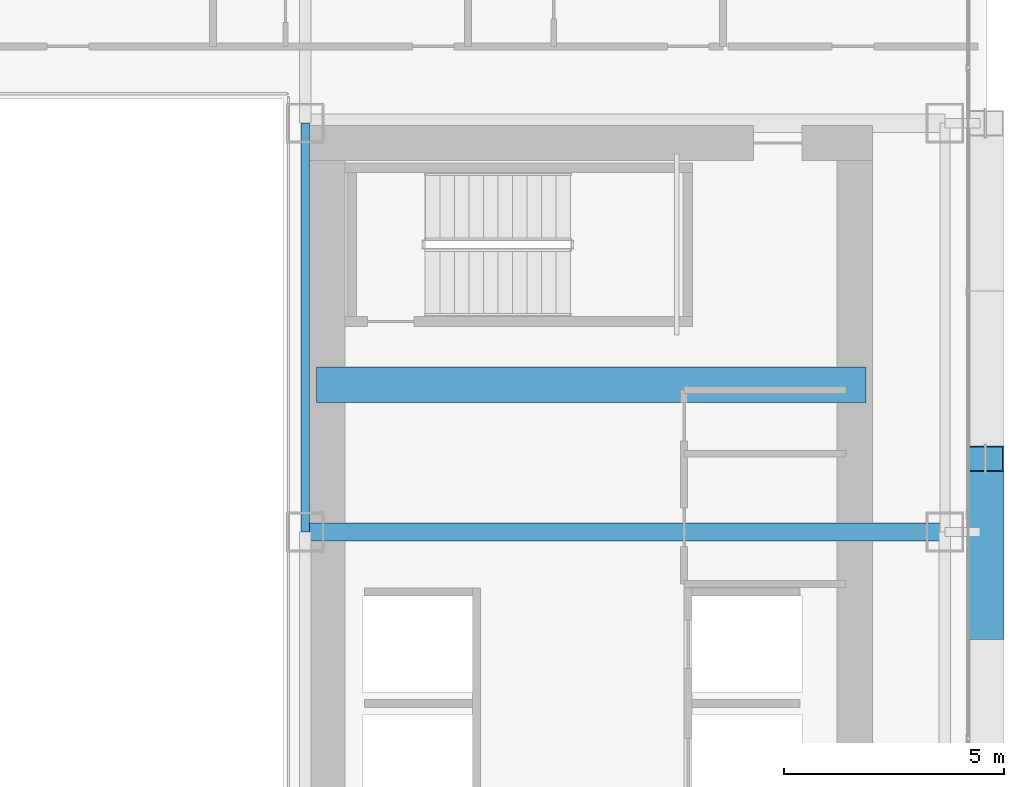
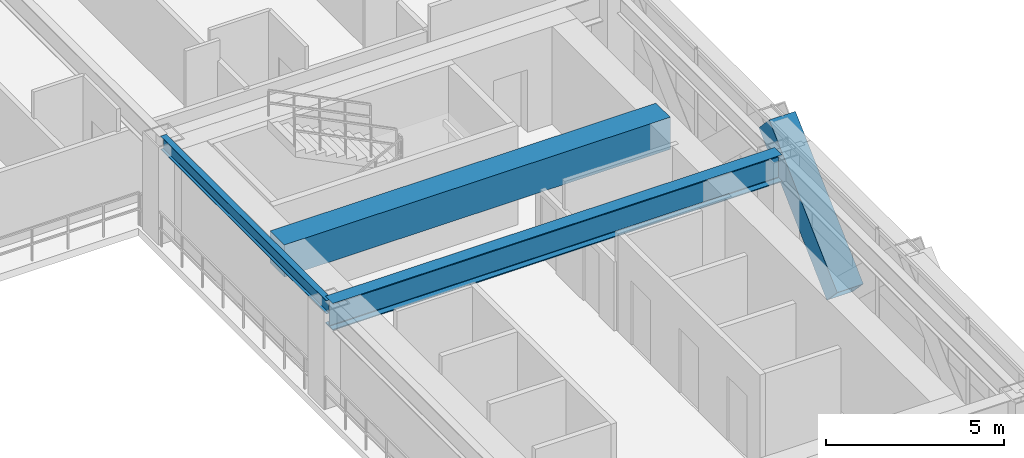
# One storey, part 14 of 38: 3 beams, 1 member.
"""IFC4 building model written with IfcOpenShell, lengths in metres."""

from ifc_helpers import new_model, si_unit, direction, frame, origin, origin_2d, place, context, subcontext, project, spatial, rectangle, hollow_rectangle, i_section, extrude, source, transform, mapped, material, material_profile, profile_set, type_object, element, save


model = new_model("IFC4")

# Units and contexts
model_context = context("Model", 3, precision=1e-05, world=origin(), true_north=direction((0.0, 1.0)))
body_context = subcontext(model_context, "Body", "Model", "MODEL_VIEW")
ifc_project = project(units=[si_unit("LENGTHUNIT", "METRE"), si_unit("AREAUNIT", "SQUARE_METRE"), si_unit("VOLUMEUNIT", "CUBIC_METRE"), si_unit("PLANEANGLEUNIT", "RADIAN"), si_unit("MASSUNIT", "GRAM", prefix="KILO")], contexts=[model_context])

# Site, building, storey
site_placement = place(None, origin())
site = spatial("IfcSite", under=ifc_project, at=site_placement, CompositionType="ELEMENT")
building_placement = place(site_placement, origin())
building = spatial("IfcBuilding", under=site, at=building_placement, Name="Ocotamira Hotel", CompositionType="ELEMENT")
storey_placement = place(building_placement, frame((0.0, 0.0, 45.60009765625)))
storey = spatial("IfcBuildingStorey", under=building, at=storey_placement, Name="L10", CompositionType="ELEMENT", Elevation=45.60009765625)

# Beams
ifc_material_1 = material(Name="Concrete C60/75", Category="concrete")
ifc_material_profile_1 = material_profile(ifc_material_1, rectangle(XDim=0.800048828125, YDim=1.10009765625, at=origin_2d()), Name="RC800X1100")
ifc_profile_set_1 = profile_set([ifc_material_profile_1], Name="Concrete C60/75")
beam_type_1 = type_object("IfcBeamType", Name="BM-LINK-RC800", PredefinedType="LINTEL", material=ifc_profile_set_1)
shared_shape_1 = source(origin(), body_context, "Body", "SweptSolid", [
    extrude(rectangle(XDim=0.800048828125, YDim=1.10009765625, at=origin_2d()), origin(), (0.0, 0.0, 1.0), 12.5),
])
beam_1_placement = place(storey_placement, frame((40.75, 31.5, 2.7998046875), z_axis=(1.0, 0.0, 0.0), x_axis=(0.0, 1.0, 0.0)))
element("IfcBeam", 1, at=beam_1_placement, inside=storey, type_object=beam_type_1, Name="L10 East Core Coupling Beam", PredefinedType="LINTEL", context=body_context, shape_type="MappedRepresentation", body=[
    mapped(shared_shape_1, transform((0.0, 0.0, 0.0), scale=1.0)),
])
ifc_material_2 = material(Name="Steel ASTM A992 Grade 50", Category="steel")
ifc_material_profile_2 = material_profile(ifc_material_2, i_section(OverallWidth=0.41796875, OverallDepth=0.927001953125, WebThickness=0.019287109375, FlangeThickness=0.031982421875, FilletRadius=0.02392578125, at=origin_2d()), Name="W36X231")
ifc_profile_set_2 = profile_set([ifc_material_profile_2], Name="Steel ASTM A992 Grade 50")
beam_type_2 = type_object("IfcBeamType", Name="BM-GIRD-W36X231", PredefinedType="BEAM", material=ifc_profile_set_2)
shared_shape_2 = source(origin(), body_context, "Body", "SweptSolid", [
    extrude(i_section(OverallWidth=0.41796875, OverallDepth=0.927001953125, WebThickness=0.019287109375, FlangeThickness=0.031982421875, FilletRadius=0.02392578125, at=origin_2d()), origin(), (0.0, 0.0, 1.0), 14.550048828125),
])
beam_2_placement = place(storey_placement, frame((40.5, 28.14990234375, 2.886474609375), z_axis=(1.0, 0.0, 0.0), x_axis=(0.0, 1.0, 0.0)))
element("IfcBeam", 2, at=beam_2_placement, inside=storey, type_object=beam_type_2, Name="L10 Girder Y28.15 X40.5-55.05", PredefinedType="BEAM", context=body_context, shape_type="MappedRepresentation", body=[
    mapped(shared_shape_2, transform((0.0, 0.0, 0.0), scale=1.0)),
])
ifc_material_profile_3 = material_profile(ifc_material_2, i_section(OverallWidth=0.18994140625, OverallDepth=0.45703125, WebThickness=0.009033203125, FlangeThickness=0.014404296875, FilletRadius=0.010009765625, at=origin_2d()), Name="W18X50")
ifc_profile_set_3 = profile_set([ifc_material_profile_3], Name="Steel ASTM A992 Grade 50")
beam_type_3 = type_object("IfcBeamType", Name="BM-SEC-W18X50", PredefinedType="JOIST", material=ifc_profile_set_3)
shared_shape_3 = source(origin(), body_context, "Body", "SweptSolid", [
    extrude(i_section(OverallWidth=0.18994140625, OverallDepth=0.45703125, WebThickness=0.009033203125, FlangeThickness=0.014404296875, FilletRadius=0.010009765625, at=origin_2d()), origin(), (0.0, 0.0, 1.0), 9.300048828125),
])
beam_3_placement = place(storey_placement, frame((40.5, 28.14990234375, 3.121337890625), z_axis=(0.0, 1.0, 0.0), x_axis=(-1.0, 0.0, 0.0)))
element("IfcBeam", 3, at=beam_3_placement, inside=storey, type_object=beam_type_3, Name="L10 Beam X40.5 Y28.15-37.45", PredefinedType="JOIST", context=body_context, shape_type="MappedRepresentation", body=[
    mapped(shared_shape_3, transform((0.0, 0.0, 0.0), scale=1.0)),
])

# Member
ifc_material_3 = material(Name="Pale-metal coated steel ASTM A913 Grade 65", Category="steel")
ifc_material_profile_4 = material_profile(ifc_material_3, hollow_rectangle(XDim=0.85009765625, YDim=0.85009765625, WallThickness=0.035888671875, at=origin_2d()), Name="BOX850X850X36")
ifc_profile_set_4 = profile_set([ifc_material_profile_4], Name="Pale-metal coated steel ASTM A913 Grade 65")
member_type = type_object("IfcMemberType", Name="MEM-EXO-BOX850", PredefinedType="BRACE", material=ifc_profile_set_4)
shared_shape_4 = source(origin(), body_context, "Body", "SweptSolid", [
    extrude(hollow_rectangle(XDim=0.85009765625, YDim=0.85009765625, WallThickness=0.035888671875, at=origin_2d()), origin(), (0.0, 0.0, 1.0), 5.24658203125),
])
member_placement = place(storey_placement, frame((55.969970703125, 26.0, -0.5), z_axis=(0.0, 0.72746596067, 0.686143772154), x_axis=(-1.0, 0.0, 0.0)))
element("IfcMember", 4, at=member_placement, inside=storey, type_object=member_type, Name="L10 Exoskeleton Diagrid E1.2", PredefinedType="BRACE", context=body_context, shape_type="MappedRepresentation", body=[
    mapped(shared_shape_4, transform((0.0, 0.0, 0.0), scale=1.0)),
])

save(model, "model.ifc")
